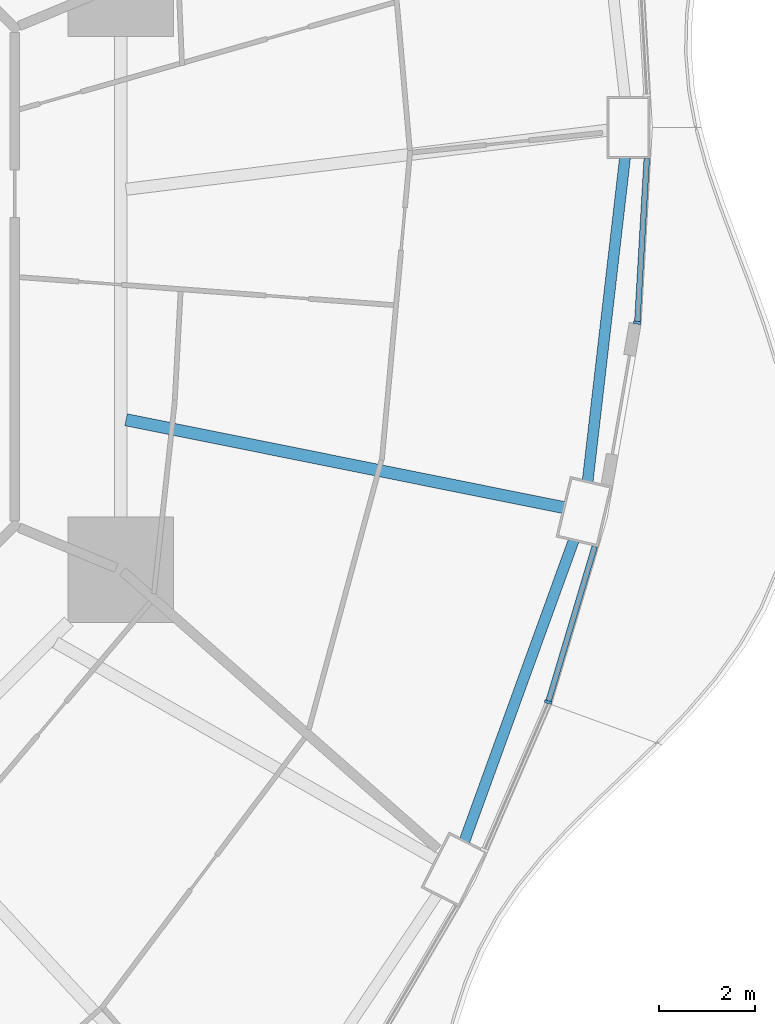
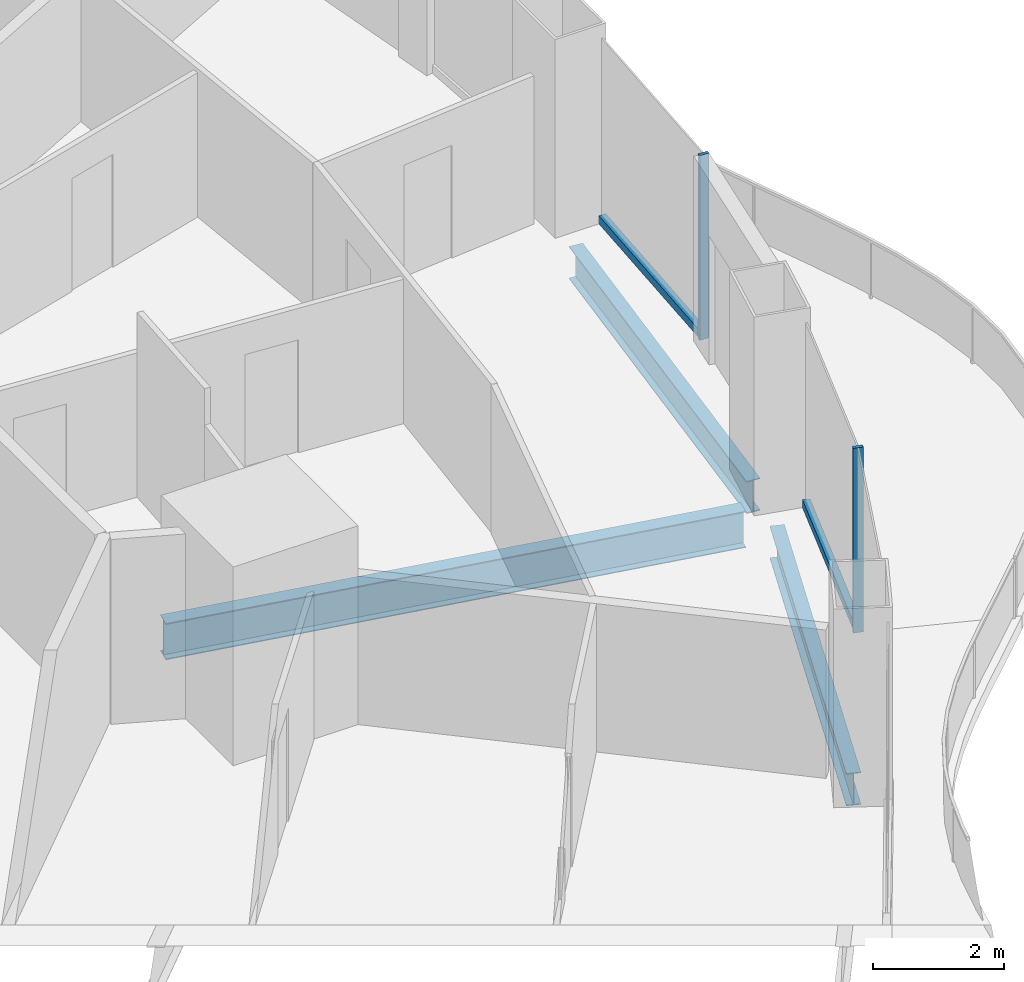
# One storey, part 6 of 22: 4 members, 3 beams, 2 elements without a shape of their own.
"""IFC4 building model written with IfcOpenShell, lengths in metres."""

import ifcopenshell
import ifcopenshell.guid

model = None  # the IFC model being written
_history = None  # IfcOwnerHistory: only IFC2X3 demands one
_inside = {}  # id of a spatial element -> (the spatial element, [elements in it])
_under = {}  # id of a project, library or spatial element -> (it, [spatial elements below it])
_declared = {}  # id of a project -> (the project, [libraries it declares])
_typed = {}  # id of a type object -> (the type object, [elements of that type])
_made_of = {}  # id of a material, layer set ... -> (it, [elements and type objects made of it])


def new_model(schema):
    """Start an empty IFC model of exactly this schema.

    Asked for "IFC4X3", IfcOpenShell would pick the latest addendum, in which some entities
    have other attributes; the version numbers below select the first issue.
    IFC2X3 requires an IfcOwnerHistory on every rooted entity: one is made here for all.
    """
    global model, _history
    if schema == "IFC4X3":
        model = ifcopenshell.file(schema_version=(4, 3, 0, 0))
    else:
        model = ifcopenshell.file(schema=schema)
    _inside.clear()
    _under.clear()
    _declared.clear()
    _typed.clear()
    _made_of.clear()
    _history = None
    if model.schema == "IFC2X3":
        org = make("IfcOrganization", Name="unknown")
        user = make(
            "IfcPersonAndOrganization",
            ThePerson=make("IfcPerson", FamilyName="unknown"),
            TheOrganization=org,
        )
        app = make(
            "IfcApplication",
            ApplicationDeveloper=org,
            Version="unknown",
            ApplicationFullName="unknown",
            ApplicationIdentifier="unknown",
        )
        _history = make(
            "IfcOwnerHistory",
            OwningUser=user,
            OwningApplication=app,
            ChangeAction="ADDED",
            CreationDate=0,
        )
    return model


def make(cls, **values):
    """One entity of the class cls with the attributes given. An attribute that is None is left unset."""
    return model.create_entity(
        cls, **{name: value for name, value in values.items() if value is not None}
    )


def rooted(cls, **values):
    """An entity with a GlobalId (a new one), such as an element, a storey or a relation."""
    return make(cls, GlobalId=ifcopenshell.guid.new(), OwnerHistory=_history, **values)


def si_unit(unit_type, name, prefix=None):
    """IfcSIUnit, for example si_unit("LENGTHUNIT", "METRE", prefix="MILLI")."""
    return make("IfcSIUnit", UnitType=unit_type, Prefix=prefix, Name=name)


def assignment(units):
    """IfcUnitAssignment: the units of a project."""
    return None if units is None else make("IfcUnitAssignment", Units=units)


def point(xyz):
    """IfcCartesianPoint."""
    return None if xyz is None else make("IfcCartesianPoint", Coordinates=xyz)


def direction(xyz):
    """IfcDirection."""
    return None if xyz is None else make("IfcDirection", DirectionRatios=xyz)


def frame(location, z_axis=None, x_axis=None):
    """IfcAxis2Placement3D, a coordinate frame: its origin and axes. An axis left out is left unset."""
    return make(
        "IfcAxis2Placement3D",
        Location=point(location),
        Axis=direction(z_axis),
        RefDirection=direction(x_axis),
    )


def frame_2d(location, x_axis=None):
    """IfcAxis2Placement2D, a coordinate frame in the plane: its origin and x axis."""
    return make(
        "IfcAxis2Placement2D", Location=point(location), RefDirection=direction(x_axis)
    )


def origin():
    """The frame at (0, 0, 0) with its axes left unset."""
    return frame((0.0, 0.0, 0.0))


def origin_2d():
    """The frame at (0, 0) in the plane with its x axis left unset."""
    return frame_2d((0.0, 0.0))


def place(relative_to, where):
    """IfcLocalPlacement: puts the frame where relative to a parent placement (None: the world)."""
    return make(
        "IfcLocalPlacement", PlacementRelTo=relative_to, RelativePlacement=where
    )


def context(
    kind, dimensions, precision=None, world=None, true_north=None, identifier=None
):
    """IfcGeometricRepresentationContext, for example the 3D "Model" context."""
    return make(
        "IfcGeometricRepresentationContext",
        ContextIdentifier=identifier,
        ContextType=kind,
        CoordinateSpaceDimension=dimensions,
        Precision=precision,
        WorldCoordinateSystem=world,
        TrueNorth=true_north,
    )


def subcontext(parent, identifier, kind, view, scale=None):
    """IfcGeometricRepresentationSubContext, for example "Body" below "Model"."""
    return make(
        "IfcGeometricRepresentationSubContext",
        ContextIdentifier=identifier,
        ContextType=kind,
        ParentContext=parent,
        TargetScale=scale,
        TargetView=view,
    )


def project(units=None, contexts=None):
    """IfcProject with its units and contexts."""
    return rooted(
        "IfcProject",
        Name="project",
        RepresentationContexts=contexts,
        UnitsInContext=assignment(units),
    )


def spatial(cls, under=None, at=None, **own):
    """A site, building, storey or space (cls), placed at a placement, below another one or the project."""
    s = rooted(cls, ObjectPlacement=at, **own)
    if under is not None:
        _under.setdefault(under.id(), (under, []))[1].append(s)
    return s


def profile(cls, at=None, kind="AREA", **sizes):
    """A parametric profile (cls). Its sizes go by their IFC names, for example OverallWidth=200.0."""
    return make(cls, ProfileType=kind, Position=at, **sizes)


def rectangle(**sizes):
    """IfcRectangleProfileDef."""
    return profile("IfcRectangleProfileDef", **sizes)


def i_section(**sizes):
    """IfcIShapeProfileDef."""
    return profile("IfcIShapeProfileDef", **sizes)


def extrude(swept, where, along, depth):
    """IfcExtrudedAreaSolid: the profile swept, set in the frame where, extruded along a direction by depth."""
    return make(
        "IfcExtrudedAreaSolid",
        SweptArea=swept,
        Position=where,
        ExtrudedDirection=direction(along),
        Depth=depth,
    )


def shape(context_of_items, identifier, shape_type, items):
    """IfcShapeRepresentation: the items that make up one representation, for example the "Body"."""
    return make(
        "IfcShapeRepresentation",
        ContextOfItems=context_of_items,
        RepresentationIdentifier=identifier,
        RepresentationType=shape_type,
        Items=items,
    )


def material(Name=None, Category=None):
    """IfcMaterial."""
    return make("IfcMaterial", Name=Name, Category=Category)


def layer(
    of_material, thickness, ventilated=None, Name=None, Category=None, Priority=None
):
    """IfcMaterialLayer: one layer of a wall or slab, of a material (None: an air gap)."""
    return make(
        "IfcMaterialLayer",
        Material=of_material,
        LayerThickness=thickness,
        IsVentilated=ventilated,
        Name=Name,
        Category=Category,
        Priority=Priority,
    )


def layer_set(layers, Name=None):
    """IfcMaterialLayerSet."""
    return make("IfcMaterialLayerSet", MaterialLayers=layers, LayerSetName=Name)


def material_profile(
    of_material, cross_section, Name=None, Category=None, Priority=None
):
    """IfcMaterialProfile: a cross section and its material."""
    return make(
        "IfcMaterialProfile",
        Name=Name,
        Material=of_material,
        Profile=cross_section,
        Priority=Priority,
        Category=Category,
    )


def profile_set(profiles, Name=None, composite=None):
    """IfcMaterialProfileSet."""
    return make(
        "IfcMaterialProfileSet",
        Name=Name,
        MaterialProfiles=profiles,
        CompositeProfile=composite,
    )


def made_of(thing, what):
    """Note that an element or type object is made of a material, layer set ...; save() writes the relation."""
    if what is not None:
        _made_of.setdefault(what.id(), (what, []))[1].append(thing)
    return thing


def type_object(cls, material=None, **own):
    """A type object (cls), such as IfcWallType, which elements share."""
    return made_of(rooted(cls, **own), material)


def element(
    cls,
    number,
    at=None,
    inside=None,
    cuts=None,
    type_object=None,
    material=None,
    context=None,
    identifier="Body",
    shape_type=None,
    held_by="IfcProductDefinitionShape",
    body=None,
    shapes=None,
    **own,
):
    """One element of the class cls, such as IfcWall. Its Tag is "e" and its number.

    at: its placement. inside: the storey or other place that contains it. cuts: it is an
    opening in that element (IfcRelVoidsElement). A single representation is given by context,
    identifier, shape_type and body (its items); several are given by shapes. held_by: the class
    of the entity that holds the representations. save() writes the other relations.
    """
    e = rooted(cls, Tag="e%d" % number, ObjectPlacement=at, **own)
    if body is not None:
        shapes = [shape(context, identifier, shape_type, body)]
    if shapes is not None:
        e.Representation = make(held_by, Representations=shapes)
    if inside is not None:
        _inside.setdefault(inside.id(), (inside, []))[1].append(e)
    if cuts is not None:
        rooted(
            "IfcRelVoidsElement", RelatingBuildingElement=cuts, RelatedOpeningElement=e
        )
    if type_object is not None:
        _typed.setdefault(type_object.id(), (type_object, []))[1].append(e)
    return made_of(e, material)


def aggregate(whole, parts):
    """IfcRelAggregates: a whole, such as a stair, and the parts it consists of."""
    return rooted("IfcRelAggregates", RelatingObject=whole, RelatedObjects=parts)


def save(model, path):
    """Write the relations noted so far, then the file.

    IfcRelAggregates (storeys below a building ...), IfcRelContainedInSpatialStructure (elements
    in a storey), IfcRelDefinesByType, IfcRelAssociatesMaterial and IfcRelDeclares: one each for
    every whole, place, type object, material and project.
    """
    for whole, parts in _under.values():
        aggregate(whole, parts)
    for where, things in _inside.values():
        rooted(
            "IfcRelContainedInSpatialStructure",
            RelatedElements=things,
            RelatingStructure=where,
        )
    for kind, things in _typed.values():
        rooted("IfcRelDefinesByType", RelatedObjects=things, RelatingType=kind)
    for what, things in _made_of.values():
        rooted("IfcRelAssociatesMaterial", RelatedObjects=things, RelatingMaterial=what)
    for by, libraries in _declared.values():
        rooted("IfcRelDeclares", RelatingContext=by, RelatedDefinitions=libraries)
    model.write(path)


model = new_model("IFC4")

# Units and contexts
model_context = context("Model", 3, precision=1e-05, world=origin(), true_north=direction((0.0, 1.0)))
body_context = subcontext(model_context, "Body", "Model", "MODEL_VIEW")
ifc_project = project(units=[si_unit("LENGTHUNIT", "METRE"), si_unit("AREAUNIT", "SQUARE_METRE"), si_unit("VOLUMEUNIT", "CUBIC_METRE"), si_unit("PLANEANGLEUNIT", "RADIAN"), si_unit("MASSUNIT", "GRAM", prefix="KILO")], contexts=[model_context])

# Site, building, storey
site_placement = place(None, origin())
site = spatial("IfcSite", under=ifc_project, at=site_placement, CompositionType="ELEMENT")
building_placement = place(site_placement, origin())
building = spatial("IfcBuilding", under=site, at=building_placement, Name="Nagisa Residences", CompositionType="ELEMENT")
storey_placement = place(building_placement, frame((0.0, 0.0, 80.699951171875)))
storey = spatial("IfcBuildingStorey", under=building, at=storey_placement, Name="L19", CompositionType="ELEMENT", Elevation=80.699951171875)

# Curtain wall, member
ifc_material_1 = material(Name="Concrete-coloured aluminium curtain wall system", Category="concrete")
ifc_layer = layer(ifc_material_1, 0.159912109375)
ifc_layer_set = layer_set([ifc_layer], Name="CW1 CURTAIN WALL")
curtain_wall_type = type_object("IfcCurtainWallType", Name="CW1 CURTAIN WALL", PredefinedType="NOTDEFINED", material=ifc_layer_set)
curtain_wall_1_placement = place(storey_placement, origin())
curtain_wall_1 = element("IfcCurtainWall", 1, at=curtain_wall_1_placement, inside=storey, type_object=curtain_wall_type, Name="cw:CW1:L19:45", PredefinedType="NOTDEFINED")
ifc_material_2 = material(Name="Concrete-coloured aluminium", Category="concrete")
ifc_material_profile_1 = material_profile(ifc_material_2, rectangle(XDim=0.159912109375, YDim=0.06005859375, at=origin_2d()), Name="CW1 MULLION 160x60")
ifc_profile_set_1 = profile_set([ifc_material_profile_1], Name="Concrete-coloured aluminium")
member_type_1 = type_object("IfcMemberType", Name="CW1 MULLION 160x60", PredefinedType="MULLION", material=ifc_profile_set_1)
member_1_placement = place(storey_placement, frame((23.71875, -8.890869140625, 0.0), z_axis=(0.0, 0.0, 1.0), x_axis=(-0.958271310082, 0.285860274038, 0.0)))
member_1 = element("IfcMember", 2, at=member_1_placement, type_object=member_type_1, Name="CW1 mullion", PredefinedType="MULLION", context=body_context, shape_type="SweptSolid", body=[
    extrude(rectangle(XDim=0.159912109375, YDim=0.06005859375, at=origin_2d()), origin(), (0.0, 0.0, 1.0), 3.43994140625),
])

curtain_wall_2_placement = place(storey_placement, origin())
curtain_wall_2 = element("IfcCurtainWall", 3, at=curtain_wall_2_placement, inside=storey, type_object=curtain_wall_type, Name="cw:CW1:L19:47", PredefinedType="NOTDEFINED")
member_2_placement = place(storey_placement, frame((25.579833984375, -0.961181640625, 0.0), z_axis=(0.0, 0.0, 1.0), x_axis=(-0.998345305184, 0.057503492216, 0.0)))
member_2 = element("IfcMember", 4, at=member_2_placement, type_object=member_type_1, Name="CW1 mullion", PredefinedType="MULLION", context=body_context, shape_type="SweptSolid", body=[
    extrude(rectangle(XDim=0.159912109375, YDim=0.06005859375, at=origin_2d()), origin(), (0.0, 0.0, 1.0), 3.43994140625),
])

# Member
ifc_material_3 = material(Name="Concrete-coloured aluminium", Category="concrete")
ifc_material_profile_2 = material_profile(ifc_material_3, rectangle(XDim=0.1201171875, YDim=0.14990234375, at=origin_2d()), Name="CW1 TRANSOM 120x150")
ifc_profile_set_2 = profile_set([ifc_material_profile_2], Name="Concrete-coloured aluminium")
member_type_2 = type_object("IfcMemberType", Name="CW1 TRANSOM 120x150", PredefinedType="USERDEFINED", material=ifc_profile_set_2)
member_3_placement = place(storey_placement, frame((23.710205078125, -8.919677734375, 0.074951171875), z_axis=(0.285882094477, 0.958264800594, 0.0), x_axis=(-0.958264800594, 0.285882094477, 0.0)))
member_3 = element("IfcMember", 5, at=member_3_placement, type_object=member_type_2, Name="CW1 transom", ObjectType="TRANSOM", PredefinedType="USERDEFINED", context=body_context, shape_type="SweptSolid", body=[
    extrude(rectangle(XDim=0.1201171875, YDim=0.14990234375, at=origin_2d()), origin(), (0.0, 0.0, 1.0), 3.423583984375),
])

aggregate(curtain_wall_1, [member_1, member_3])

member_4_placement = place(storey_placement, frame((25.578125, -0.9912109375, 0.074951171875), z_axis=(0.057546644052, 0.998342818754, 0.0), x_axis=(-0.998342818754, 0.057546644052, 0.0)))
member_4 = element("IfcMember", 6, at=member_4_placement, type_object=member_type_2, Name="CW1 transom", ObjectType="TRANSOM", PredefinedType="USERDEFINED", context=body_context, shape_type="SweptSolid", body=[
    extrude(rectangle(XDim=0.1201171875, YDim=0.14990234375, at=origin_2d()), origin(), (0.0, 0.0, 1.0), 3.470458984375),
])

aggregate(curtain_wall_2, [member_2, member_4])

# Beams
ifc_material_4 = material(Name="Steel ASTM A572 Gr 50", Category="steel")
ifc_material_profile_3 = material_profile(ifc_material_4, i_section(OverallWidth=0.22802734375, OverallDepth=0.60302734375, WebThickness=0.010498046875, FlangeThickness=0.014892578125, at=origin_2d()), Name="W610x101")
ifc_profile_set_3 = profile_set([ifc_material_profile_3], Name="Steel ASTM A572 Gr 50")
beam_type_1 = type_object("IfcBeamType", Name="Perimeter ring beam W610x101", PredefinedType="BEAM", material=ifc_profile_set_3)
beam_1_placement = place(storey_placement, frame((21.96826171875, -11.793212890625, -0.5615234375), z_axis=(0.341365002286, 0.939930814057, 0.0), x_axis=(-0.939930814057, 0.341365002286, 0.0)))
element("IfcBeam", 7, at=beam_1_placement, inside=storey, type_object=beam_type_1, Name="beam:L19:pb23", PredefinedType="BEAM", context=body_context, shape_type="SweptSolid", body=[
    extrude(i_section(OverallWidth=0.22802734375, OverallDepth=0.60302734375, WebThickness=0.010498046875, FlangeThickness=0.014892578125, at=origin_2d()), origin(), (0.0, 0.0, 1.0), 6.689208984375),
])
beam_2_placement = place(storey_placement, frame((24.541015625, -4.279296875, -0.5615234375), z_axis=(0.114690766503, 0.993401242237, 0.0), x_axis=(-0.993401242237, 0.114690766503, 0.0)))
element("IfcBeam", 8, at=beam_2_placement, inside=storey, type_object=beam_type_1, Name="beam:L19:pb24", PredefinedType="BEAM", context=body_context, shape_type="SweptSolid", body=[
    extrude(i_section(OverallWidth=0.22802734375, OverallDepth=0.60302734375, WebThickness=0.010498046875, FlangeThickness=0.014892578125, at=origin_2d()), origin(), (0.0, 0.0, 1.0), 6.811767578125),
])
ifc_material_5 = material(Name="Steel ASTM A572 Gr 50", Category="steel")
ifc_material_profile_4 = material_profile(ifc_material_5, i_section(OverallWidth=0.2529296875, OverallDepth=0.677978515625, WebThickness=0.01171875, FlangeThickness=0.016357421875, at=origin_2d()), Name="W690x125")
ifc_profile_set_4 = profile_set([ifc_material_profile_4], Name="Steel ASTM A572 Gr 50")
beam_type_2 = type_object("IfcBeamType", Name="Radial beam W690x125", PredefinedType="BEAM", material=ifc_profile_set_4)
beam_3_placement = place(storey_placement, frame((24.046630859375, -4.824951171875, -0.598876953125), z_axis=(-0.980459769656, 0.196719699282, 0.0), x_axis=(-0.196719699282, -0.980459769656, 0.0)))
element("IfcBeam", 9, at=beam_3_placement, inside=storey, type_object=beam_type_2, Name="beam:L19:rb24", PredefinedType="BEAM", context=body_context, shape_type="SweptSolid", body=[
    extrude(i_section(OverallWidth=0.2529296875, OverallDepth=0.677978515625, WebThickness=0.01171875, FlangeThickness=0.016357421875, at=origin_2d()), origin(), (0.0, 0.0, 1.0), 9.333984375),
])

save(model, "model.ifc")
